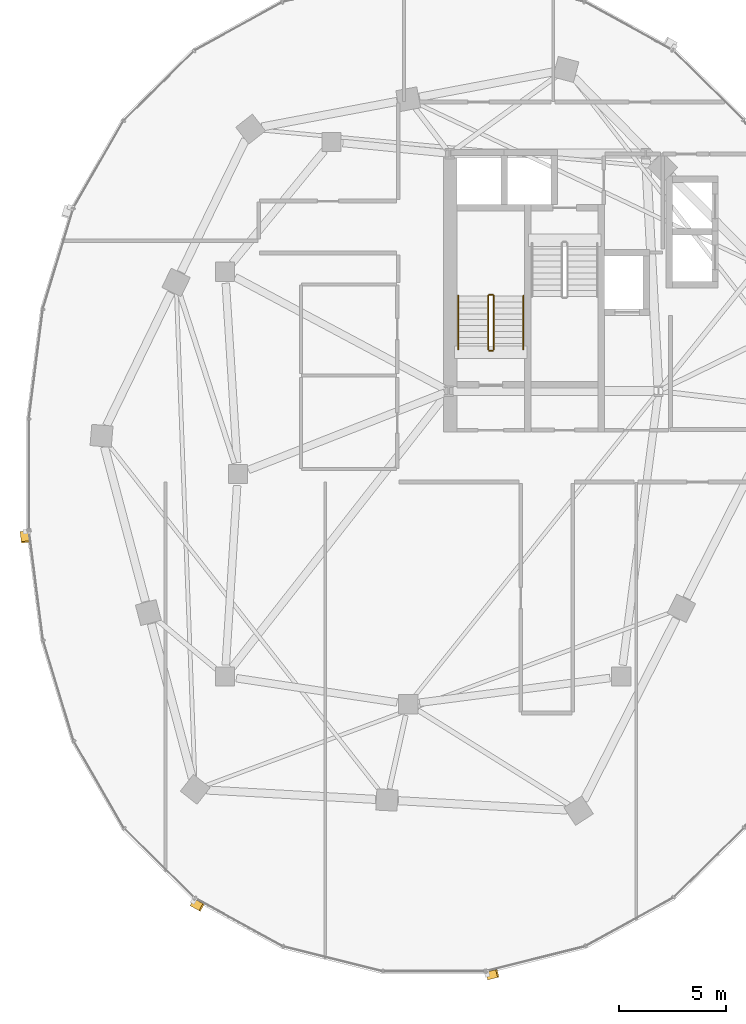
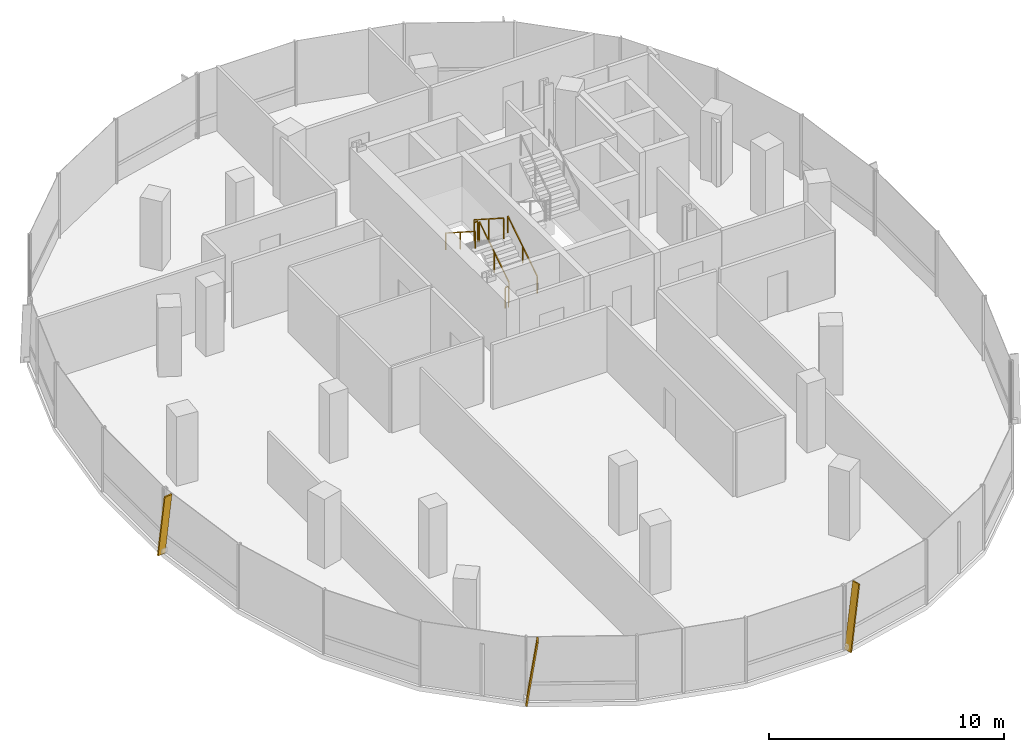
# One storey, part 18 of 22: 6 railings, 3 shading devices.
"""IFC4 building model written with IfcOpenShell, lengths in metres."""

from ifc_helpers import new_model, si_unit, direction, frame, origin, origin_2d, place, context, subcontext, project, spatial, rectangle, extrude, material, material_profile, profile_set, type_object, element, save


model = new_model("IFC4")

# Units and contexts
model_context = context("Model", 3, precision=1e-05, world=origin(), true_north=direction((0.0, 1.0)))
body_context = subcontext(model_context, "Body", "Model", "MODEL_VIEW")
ifc_project = project(units=[si_unit("LENGTHUNIT", "METRE"), si_unit("AREAUNIT", "SQUARE_METRE"), si_unit("VOLUMEUNIT", "CUBIC_METRE"), si_unit("PLANEANGLEUNIT", "RADIAN"), si_unit("MASSUNIT", "GRAM", prefix="KILO"), si_unit("THERMODYNAMICTEMPERATUREUNIT", "KELVIN"), si_unit("POWERUNIT", "WATT")], contexts=[model_context])

# Site, building, storey
site_placement = place(None, origin())
site = spatial("IfcSite", under=ifc_project, at=site_placement, CompositionType="ELEMENT")
building_placement = place(site_placement, origin())
building = spatial("IfcBuilding", under=site, at=building_placement, Name="Cundina Bronze Exchange", CompositionType="ELEMENT")
storey_placement = place(building_placement, frame((0.0, 0.0, 136.800048828125)))
storey = spatial("IfcBuildingStorey", under=building, at=storey_placement, Name="L35", CompositionType="ELEMENT", Elevation=136.800048828125)

# Railings
ifc_material_1 = material(Name="Steel ASTM A36 Painted", Category="steel")
railing_type_1 = type_object("IfcRailingType", Name="RLG-HND-900", PredefinedType="HANDRAIL", material=ifc_material_1)
railing_1_placement = place(storey_placement, frame((-27.7900390625, 5.85009765625, 0.179931640625)))
element("IfcRailing", 1, at=railing_1_placement, inside=storey, type_object=railing_type_1, Name="L35 ST-W1 stair handrail 1", PredefinedType="HANDRAIL", context=body_context, shape_type="SweptSolid", body=[
    extrude(rectangle(XDim=0.048095703125, YDim=0.048095703125, at=origin_2d()), frame((0.0, 0.0, 0.8759765625), z_axis=(0.0, 0.841162588446, 0.540782303519), x_axis=(-1.0, 0.0, 0.0)), (0.0, 0.0, 1.0), 2.995849609375),
    extrude(rectangle(XDim=0.0419921875, YDim=0.0419921875, at=origin_2d()), origin(), (0.0, 0.0, 1.0), 0.851806640625),
    extrude(rectangle(XDim=0.0419921875, YDim=0.0419921875, at=origin_2d()), frame((0.0, 1.260009765625, 0.81005859375)), (0.0, 0.0, 1.0), 0.851806640625),
    extrude(rectangle(XDim=0.0419921875, YDim=0.0419921875, at=origin_2d()), frame((0.0, 2.52001953125, 1.6201171875)), (0.0, 0.0, 1.0), 0.851806640625),
])
railing_2_placement = place(storey_placement, frame((-30.85009765625, 8.3701171875, 1.97998046875)))
element("IfcRailing", 2, at=railing_2_placement, inside=storey, type_object=railing_type_1, Name="L35 ST-W1 stair handrail 2", PredefinedType="HANDRAIL", context=body_context, shape_type="SweptSolid", body=[
    extrude(rectangle(XDim=0.048095703125, YDim=0.048095703125, at=origin_2d()), frame((0.0, 0.0, 0.8759765625), z_axis=(0.0, -0.841199657755, 0.540724639528), x_axis=(1.0, 0.0, 0.0)), (0.0, 0.0, 1.0), 2.995849609375),
    extrude(rectangle(XDim=0.0419921875, YDim=0.0419921875, at=origin_2d()), origin(), (0.0, 0.0, 1.0), 0.851806640625),
    extrude(rectangle(XDim=0.0419921875, YDim=0.0419921875, at=origin_2d()), frame((0.0, -1.260009765625, 0.81005859375)), (0.0, 0.0, 1.0), 0.851806640625),
    extrude(rectangle(XDim=0.0419921875, YDim=0.0419921875, at=origin_2d()), frame((0.0, -2.52001953125, 1.619873046875)), (0.0, 0.0, 1.0), 0.851806640625),
])
railing_type_2 = type_object("IfcRailingType", Name="RLG-STG-1100", PredefinedType="GUARDRAIL", material=ifc_material_1)
railing_3_placement = place(storey_placement, frame((-29.18994140625, 5.85009765625, 0.179931640625)))
element("IfcRailing", 3, at=railing_3_placement, inside=storey, type_object=railing_type_2, Name="L35 ST-W1 stair guard 1", PredefinedType="GUARDRAIL", context=body_context, shape_type="SweptSolid", body=[
    extrude(rectangle(XDim=0.048095703125, YDim=0.048095703125, at=origin_2d()), frame((0.0, 0.0, 1.076171875), z_axis=(0.0, 0.841162588446, 0.540782303519), x_axis=(-1.0, 0.0, 0.0)), (0.0, 0.0, 1.0), 2.995849609375),
    extrude(rectangle(XDim=0.0419921875, YDim=0.0419921875, at=origin_2d()), origin(), (0.0, 0.0, 1.0), 1.052001953125),
    extrude(rectangle(XDim=0.0419921875, YDim=0.0419921875, at=origin_2d()), frame((0.0, 1.260009765625, 0.81005859375)), (0.0, 0.0, 1.0), 1.052001953125),
    extrude(rectangle(XDim=0.0419921875, YDim=0.0419921875, at=origin_2d()), frame((0.0, 2.52001953125, 1.6201171875)), (0.0, 0.0, 1.0), 1.052001953125),
])
railing_4_placement = place(storey_placement, frame((-29.239990234375, 8.419921875, 1.800048828125)))
element("IfcRailing", 4, at=railing_4_placement, inside=storey, type_object=railing_type_2, Name="L35 ST-W1 stair guard 2", PredefinedType="GUARDRAIL", context=body_context, shape_type="SweptSolid", body=[
    extrude(rectangle(XDim=0.048095703125, YDim=0.048095703125, at=origin_2d()), frame((0.0, 0.0, 1.076171875), z_axis=(-1.0, 0.0, 0.0), x_axis=(0.0, -1.0, 0.0)), (0.0, 0.0, 1.0), 0.159912109375),
    extrude(rectangle(XDim=0.0419921875, YDim=0.0419921875, at=origin_2d()), origin(), (0.0, 0.0, 1.0), 1.052001953125),
    extrude(rectangle(XDim=0.0419921875, YDim=0.0419921875, at=origin_2d()), frame((-0.159912109375, 0.0, 0.0)), (0.0, 0.0, 1.0), 1.052001953125),
])
railing_5_placement = place(storey_placement, frame((-29.449951171875, 8.3701171875, 1.97998046875)))
element("IfcRailing", 5, at=railing_5_placement, inside=storey, type_object=railing_type_2, Name="L35 ST-W1 stair guard 3", PredefinedType="GUARDRAIL", context=body_context, shape_type="SweptSolid", body=[
    extrude(rectangle(XDim=0.048095703125, YDim=0.048095703125, at=origin_2d()), frame((0.0, 0.0, 1.076171875), z_axis=(0.0, -0.841199657755, 0.540724639528), x_axis=(1.0, 0.0, 0.0)), (0.0, 0.0, 1.0), 2.995849609375),
    extrude(rectangle(XDim=0.0419921875, YDim=0.0419921875, at=origin_2d()), origin(), (0.0, 0.0, 1.0), 1.052001953125),
    extrude(rectangle(XDim=0.0419921875, YDim=0.0419921875, at=origin_2d()), frame((0.0, -1.260009765625, 0.81005859375)), (0.0, 0.0, 1.0), 1.052001953125),
    extrude(rectangle(XDim=0.0419921875, YDim=0.0419921875, at=origin_2d()), frame((0.0, -2.52001953125, 1.619873046875)), (0.0, 0.0, 1.0), 1.052001953125),
])
railing_6_placement = place(storey_placement, frame((-29.239990234375, 5.800048828125, 0.0)))
element("IfcRailing", 6, at=railing_6_placement, inside=storey, type_object=railing_type_2, Name="L35 ST-W1 stair guard 4", PredefinedType="GUARDRAIL", context=body_context, shape_type="SweptSolid", body=[
    extrude(rectangle(XDim=0.048095703125, YDim=0.048095703125, at=origin_2d()), frame((0.0, 0.0, 1.076171875), z_axis=(-1.0, 0.0, 0.0), x_axis=(0.0, -1.0, 0.0)), (0.0, 0.0, 1.0), 0.159912109375),
    extrude(rectangle(XDim=0.0419921875, YDim=0.0419921875, at=origin_2d()), origin(), (0.0, 0.0, 1.0), 1.052001953125),
    extrude(rectangle(XDim=0.0419921875, YDim=0.0419921875, at=origin_2d()), frame((-0.159912109375, 0.0, 0.0)), (0.0, 0.0, 1.0), 1.052001953125),
])

# Shading devices
ifc_material_2 = material(Name="Anodised Bronze Aluminium 6063-T6", Category="aluminium")
ifc_material_profile = material_profile(ifc_material_2, rectangle(XDim=0.070068359375, YDim=0.3798828125, at=origin_2d()), Name="FIN70X380", Category="aluminium")
ifc_profile_set = profile_set([ifc_material_profile], Name="Anodised Bronze Aluminium 6063-T6")
shading_device_type = type_object("IfcShadingDeviceType", Name="SHD-FIN-BRZ380", PredefinedType="USERDEFINED", material=ifc_profile_set)
for number, where, z_axis, x_axis, name in (
    (7, (-51.23486328125, -2.705810546875, 0.02001953125), (0.018123110499, -0.141927973785, 0.989711070527), (-0.125360600332, 0.981739641151, 0.143080386066), "L35 Diagonal Bronze Solar Fin 1"),
    (8, (-43.320068359375, -20.11181640625, 0.02001953125), (0.125333488691, -0.068998924088, 0.989712415345), (-0.867010347902, 0.477308832643, 0.143071083426), "L35 Diagonal Bronze Solar Fin 5"),
    (9, (-29.48046875, -23.556396484375, 0.02001953125), (0.138798398751, 0.034717795597, 0.989711917263), (-0.960131970194, -0.240158861973, 0.143074528925), "L35 Diagonal Bronze Solar Fin 1"),
):
    element("IfcShadingDevice", number, at=place(storey_placement, frame(where, z_axis=z_axis, x_axis=x_axis)), inside=storey, type_object=shading_device_type, Name=name, ObjectType="FIN", PredefinedType="USERDEFINED", context=body_context, shape_type="SweptSolid", body=[
        extrude(rectangle(XDim=0.070068359375, YDim=0.3798828125, at=origin_2d()), origin(), (0.0, 0.0, 1.0), 3.354248046875),
    ])

save(model, "model.ifc")
